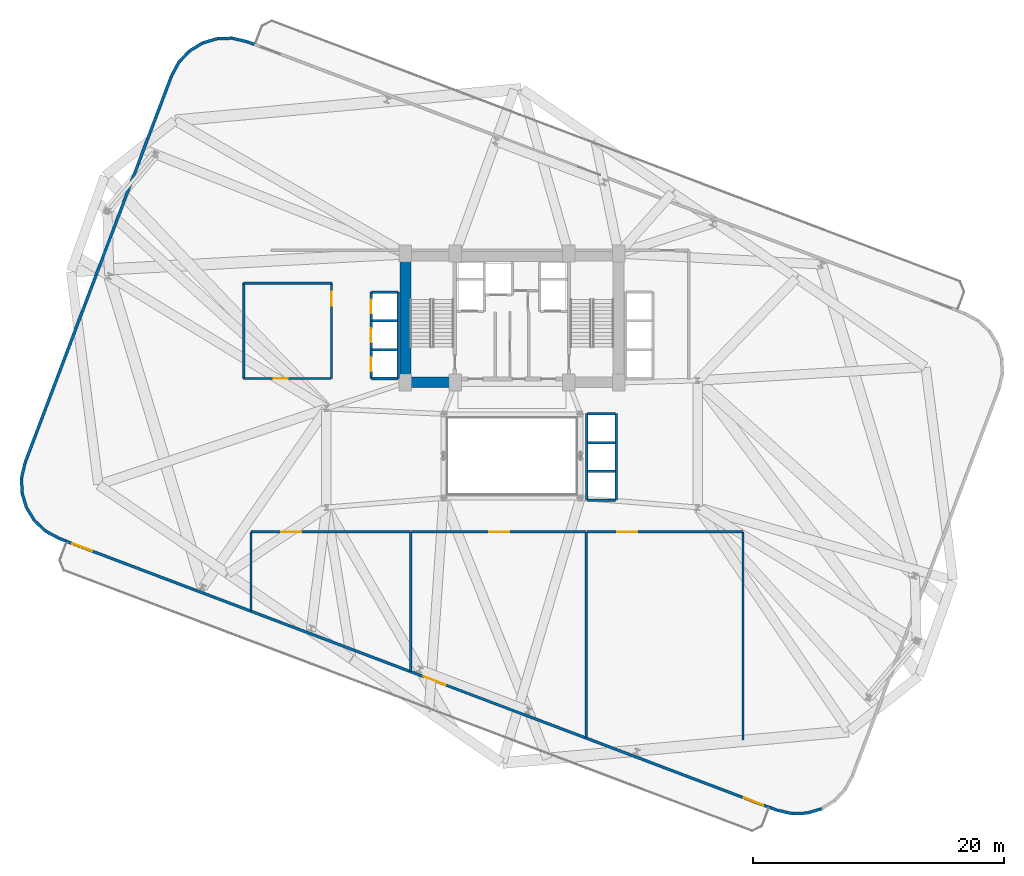
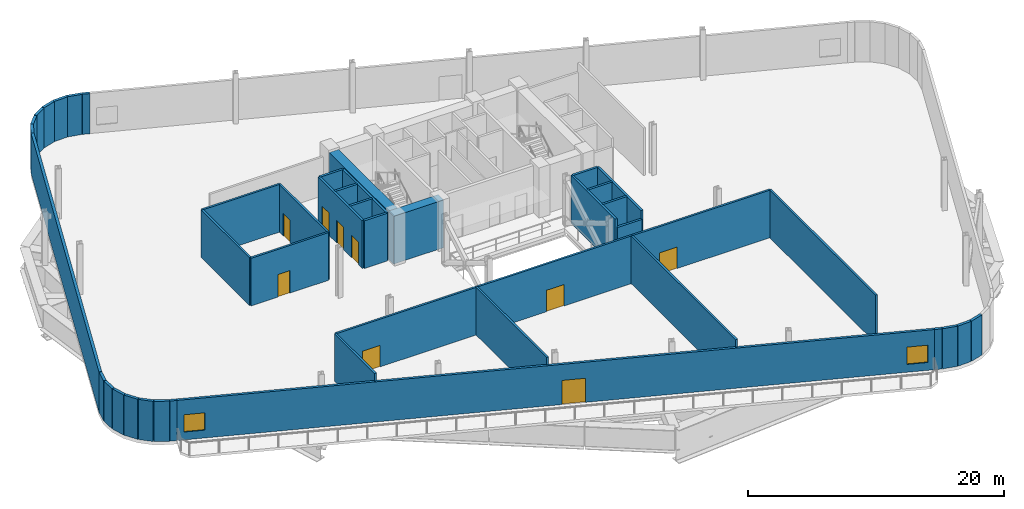
# One storey, part 6 of 11: 45 walls, 9 doors, 2 windows, 11 openings.
"""IFC4 building model written with IfcOpenShell, lengths in metres."""

from ifc_helpers import new_model, si_unit, direction, frame, frame_2d, origin, place, context, subcontext, project, spatial, rectangle, extrude, material, layer, layer_set, type_object, element, fill, save


model = new_model("IFC4")

# Units and contexts
model_context = context("Model", 3, precision=1e-05, world=origin(), true_north=direction((0.0, 1.0)))
body_context = subcontext(model_context, "Body", "Model", "MODEL_VIEW")
ifc_project = project(units=[si_unit("LENGTHUNIT", "METRE"), si_unit("AREAUNIT", "SQUARE_METRE"), si_unit("VOLUMEUNIT", "CUBIC_METRE"), si_unit("PLANEANGLEUNIT", "RADIAN"), si_unit("MASSUNIT", "GRAM", prefix="KILO")], contexts=[model_context])

# Site, building, storey
site_placement = place(None, origin())
site = spatial("IfcSite", under=ifc_project, at=site_placement, CompositionType="ELEMENT")
building_placement = place(site_placement, origin())
building = spatial("IfcBuilding", under=site, at=building_placement, Name="Varnelok Gate Tower", CompositionType="ELEMENT")
storey_placement = place(building_placement, frame((0.0, 0.0, 71.39990234375)))
storey = spatial("IfcBuildingStorey", under=building, at=storey_placement, Name="L17", CompositionType="ELEMENT", Elevation=71.39990234375)

# Wall, openings, door, windows
ifc_material_1 = material(Name="Concrete C45/55", Category="concrete")
ifc_layer_1 = layer(ifc_material_1, 0.219970703125)
ifc_layer_set_1 = layer_set([ifc_layer_1], Name="Concrete C45/55")
wall_type_1 = type_object("IfcWallType", Name="EW-BALC-220", PredefinedType="SOLIDWALL", material=ifc_layer_set_1)
wall_1_placement = place(storey_placement, frame((59.754150390625, -5.13916015625, 0.0), z_axis=(0.0, 0.0, 1.0), x_axis=(-0.935222250741, 0.354061211825, 0.0)))
wall_1 = element("IfcWall", 1, at=wall_1_placement, inside=storey, type_object=wall_type_1, Name="L17 South Terrace Envelope Wall 1", PredefinedType="SOLIDWALL", context=body_context, shape_type="SweptSolid", body=[
    extrude(rectangle(XDim=60.0, YDim=0.219970703125, at=frame_2d((30.0, 0.0))), origin(), (0.0, 0.0, 1.0), 3.830078125),
])
opening_1_placement = place(wall_1_placement, frame((27.646728515625, 0.0, 0.0)))
opening_1 = element("IfcOpeningElement", 2, at=opening_1_placement, cuts=wall_1, Name="Opening SGD-1", PredefinedType="OPENING", context=body_context, shape_type="SweptSolid", body=[
    extrude(rectangle(XDim=1.85009765625, YDim=2.300048828125, at=frame_2d((0.925048828125, 1.14990234375))), frame((0.0, 0.119873046875, 0.0), z_axis=(0.0, -1.0, 0.0), x_axis=(1.0, 0.0, 0.0)), (0.0, 0.0, 1.0), 0.239990234375),
])
opening_2_placement = place(wall_1_placement, frame((0.550048828125, 0.0, 0.75)))
opening_2 = element("IfcOpeningElement", 3, at=opening_2_placement, cuts=wall_1, Name="Opening WN3", PredefinedType="OPENING", context=body_context, shape_type="SweptSolid", body=[
    extrude(rectangle(XDim=1.64990234375, YDim=1.64990234375, at=frame_2d((0.824951171875, 0.824951171875))), frame((0.0, 0.119873046875, 0.0), z_axis=(0.0, -1.0, 0.0), x_axis=(1.0, 0.0, 0.0)), (0.0, 0.0, 1.0), 0.239990234375),
])
opening_3_placement = place(wall_1_placement, frame((57.800048828125, 0.0, 0.75)))
opening_3 = element("IfcOpeningElement", 4, at=opening_3_placement, cuts=wall_1, Name="Opening WN3", PredefinedType="OPENING", context=body_context, shape_type="SweptSolid", body=[
    extrude(rectangle(XDim=1.64990234375, YDim=1.64990234375, at=frame_2d((0.824951171875, 0.824951171875))), frame((0.0, 0.119873046875, 0.0), z_axis=(0.0, -1.0, 0.0), x_axis=(1.0, 0.0, 0.0)), (0.0, 0.0, 1.0), 0.239990234375),
])
ifc_material_2 = material(Name="Anodized Aluminum Alloy 6063-T6", Category="aluminium")
door_type_1 = type_object("IfcDoorType", Name="DR-EXT-SKYG1850", OperationType="DOUBLE_DOOR_SINGLE_SWING", PredefinedType="DOOR", material=ifc_material_2)
door_1_placement = place(opening_1_placement, origin())
door_1 = element("IfcDoor", 5, at=door_1_placement, inside=storey, type_object=door_type_1, Name="L17 South Sky Garden Glazed Door 1", OperationType="DOUBLE_DOOR_SINGLE_SWING", OverallHeight=2.300048828125, OverallWidth=1.85009765625, PredefinedType="DOOR", context=body_context, shape_type="SweptSolid", body=[
    extrude(rectangle(XDim=1.85009765625, YDim=2.300048828125, at=frame_2d((0.925048828125, 1.14990234375))), frame((0.0, 0.02490234375, 0.0), z_axis=(0.0, -1.0, 0.0), x_axis=(1.0, 0.0, 0.0)), (0.0, 0.0, 1.0), 0.050048828125),
])
fill(opening_1, door_1)
ifc_material_3 = material(Name="Low-E Laminated Double Glazing IGU", Category="glass")
window_type = type_object("IfcWindowType", Name="WN-HTL-1650", PartitioningType="SINGLE_PANEL", PredefinedType="WINDOW", material=ifc_material_3)
window_1_placement = place(opening_2_placement, origin())
window_1 = element("IfcWindow", 6, at=window_1_placement, inside=storey, type_object=window_type, Name="L17 South Vision Window 1.1", OverallHeight=1.64990234375, OverallWidth=1.64990234375, PartitioningType="SINGLE_PANEL", PredefinedType="WINDOW", context=body_context, shape_type="SweptSolid", body=[
    extrude(rectangle(XDim=1.64990234375, YDim=1.64990234375, at=frame_2d((0.824951171875, 0.824951171875))), frame((0.0, 0.030029296875, 0.0), z_axis=(0.0, -1.0, 0.0), x_axis=(1.0, 0.0, 0.0)), (0.0, 0.0, 1.0), 0.06005859375),
])
fill(opening_2, window_1)
window_2_placement = place(opening_3_placement, origin())
window_2 = element("IfcWindow", 7, at=window_2_placement, inside=storey, type_object=window_type, Name="L17 South Vision Window 1.2", OverallHeight=1.64990234375, OverallWidth=1.64990234375, PartitioningType="SINGLE_PANEL", PredefinedType="WINDOW", context=body_context, shape_type="SweptSolid", body=[
    extrude(rectangle(XDim=1.64990234375, YDim=1.64990234375, at=frame_2d((0.824951171875, 0.824951171875))), frame((0.0, 0.030029296875, 0.0), z_axis=(0.0, -1.0, 0.0), x_axis=(1.0, 0.0, 0.0)), (0.0, 0.0, 1.0), 0.06005859375),
])
fill(opening_3, window_2)

# Walls
ifc_layer_2 = layer(ifc_material_1, 0.239990234375)
ifc_layer_set_2 = layer_set([ifc_layer_2], Name="Concrete C45/55")
wall_type_2 = type_object("IfcWallType", Name="EW-PLANT-240", PredefinedType="SOLIDWALL", material=ifc_layer_set_2)
wall_2_placement = place(storey_placement, frame((0.3662109375, 22.36767578125, 0.0), z_axis=(0.0, 0.0, 1.0), x_axis=(-0.228961854546, -0.973435395475, 0.0)))
element("IfcWall", 8, at=wall_2_placement, inside=storey, type_object=wall_type_2, Name="L17 Perimeter Facade Closure Wall 1", PredefinedType="SOLIDWALL", context=body_context, shape_type="SweptSolid", body=[
    extrude(rectangle(XDim=1.2294921875, YDim=0.239990234375, at=frame_2d((0.61474609375, 0.0))), origin(), (0.0, 0.0, 1.0), 3.830078125),
])
for number, where, z_axis, x_axis, name in (
    (9, (0.08544921875, 21.145751953125, 0.0), (0.0, 0.0, 1.0), (0.030814269962, -0.999525127631, 0.0), "L17 Perimeter Facade Closure Wall 2"),
    (10, (0.12939453125, 19.92578125, 0.0), (0.0, 0.0, 1.0), (0.28854583193, -0.957466084452, 0.0), "L17 Perimeter Facade Closure Wall 3"),
    (11, (0.48779296875, 18.759033203125, 0.0), (0.0, 0.0, 1.0), (0.526361640828, -0.850260797088, 0.0), "L17 Perimeter Facade Closure Wall 4"),
):
    element("IfcWall", number, at=place(storey_placement, frame(where, z_axis=z_axis, x_axis=x_axis)), inside=storey, type_object=wall_type_2, Name=name, PredefinedType="SOLIDWALL", context=body_context, shape_type="SweptSolid", body=[
        extrude(rectangle(XDim=1.1962890625, YDim=0.239990234375, at=frame_2d((0.59814453125, 0.0))), origin(), (0.0, 0.0, 1.0), 3.830078125),
    ])
wall_3_placement = place(storey_placement, frame((1.1357421875, 17.724853515625, 0.0), z_axis=(0.0, 0.0, 1.0), x_axis=(0.728499379046, -0.68504646173, 0.0)))
element("IfcWall", 12, at=wall_3_placement, inside=storey, type_object=wall_type_2, Name="L17 Perimeter Facade Closure Wall 5", PredefinedType="SOLIDWALL", context=body_context, shape_type="SweptSolid", body=[
    extrude(rectangle(XDim=1.19677734375, YDim=0.239990234375, at=frame_2d((0.598388671875, 0.0))), origin(), (0.0, 0.0, 1.0), 3.830078125),
])
wall_4_placement = place(storey_placement, frame((2.029541015625, 16.893310546875, 0.0), z_axis=(0.0, 0.0, 1.0), x_axis=(0.880991299825, -0.473132465207, 0.0)))
element("IfcWall", 13, at=wall_4_placement, inside=storey, type_object=wall_type_2, Name="L17 Perimeter Facade Closure Wall 6", PredefinedType="SOLIDWALL", context=body_context, shape_type="SweptSolid", body=[
    extrude(rectangle(XDim=1.204345703125, YDim=0.239990234375, at=frame_2d((0.60205078125, 0.0))), origin(), (0.0, 0.0, 1.0), 3.830078125),
])
wall_5_placement = place(storey_placement, frame((3.114013671875, 16.314697265625, 0.0), z_axis=(0.0, 0.0, 1.0), x_axis=(0.935263143386, -0.353953178574, 0.0)))
element("IfcWall", 14, at=wall_5_placement, inside=storey, type_object=wall_type_2, Name="L17 Perimeter Facade Closure Wall 7", PredefinedType="SOLIDWALL", context=body_context, shape_type="SweptSolid", body=[
    extrude(rectangle(XDim=0.56689453125, YDim=0.239990234375, at=frame_2d((0.283447265625, 0.0))), origin(), (0.0, 0.0, 1.0), 3.830078125),
])
wall_6_placement = place(storey_placement, frame((59.757568359375, -5.1298828125, 0.0), z_axis=(0.0, 0.0, 1.0), x_axis=(0.935171861899, -0.354194281028, 0.0)))
element("IfcWall", 15, at=wall_6_placement, inside=storey, type_object=wall_type_2, Name="L17 Perimeter Facade Closure Wall 8", PredefinedType="SOLIDWALL", context=body_context, shape_type="SweptSolid", body=[
    extrude(rectangle(XDim=0.592041015625, YDim=0.239990234375, at=frame_2d((0.2958984375, 0.0))), origin(), (0.0, 0.0, 1.0), 3.830078125),
])
wall_7_placement = place(storey_placement, frame((60.335693359375, -5.34521484375, 0.0), z_axis=(0.0, 0.0, 1.0), x_axis=(0.973411851096, -0.229061930808, 0.0)))
element("IfcWall", 16, at=wall_7_placement, inside=storey, type_object=wall_type_2, Name="L17 Perimeter Facade Closure Wall 9", PredefinedType="SOLIDWALL", context=body_context, shape_type="SweptSolid", body=[
    extrude(rectangle(XDim=1.204345703125, YDim=0.239990234375, at=frame_2d((0.60205078125, 0.0))), origin(), (0.0, 0.0, 1.0), 3.830078125),
])
wall_8_placement = place(storey_placement, frame((61.533203125, -5.6201171875, 0.0), z_axis=(0.0, 0.0, 1.0), x_axis=(0.999525127631, 0.030814269962, 0.0)))
element("IfcWall", 17, at=wall_8_placement, inside=storey, type_object=wall_type_2, Name="L17 Perimeter Facade Closure Wall 10", PredefinedType="SOLIDWALL", context=body_context, shape_type="SweptSolid", body=[
    extrude(rectangle(XDim=1.1962890625, YDim=0.239990234375, at=frame_2d((0.59814453125, 0.0))), origin(), (0.0, 0.0, 1.0), 3.830078125),
])
wall_9_placement = place(storey_placement, frame((62.7529296875, -5.576171875, 0.0), z_axis=(0.0, 0.0, 1.0), x_axis=(0.95753941077, 0.288302405161, 0.0)))
element("IfcWall", 18, at=wall_9_placement, inside=storey, type_object=wall_type_2, Name="L17 Perimeter Facade Closure Wall 11", PredefinedType="SOLIDWALL", context=body_context, shape_type="SweptSolid", body=[
    extrude(rectangle(XDim=1.196533203125, YDim=0.239990234375, at=frame_2d((0.59814453125, 0.0))), origin(), (0.0, 0.0, 1.0), 3.830078125),
])
wall_10_placement = place(storey_placement, frame((18.642333984375, 55.729736328125, 0.0), z_axis=(0.0, 0.0, 1.0), x_axis=(-0.935171861899, 0.354194281028, 0.0)))
element("IfcWall", 19, at=wall_10_placement, inside=storey, type_object=wall_type_2, Name="L17 Perimeter Facade Closure Wall 23", PredefinedType="SOLIDWALL", context=body_context, shape_type="SweptSolid", body=[
    extrude(rectangle(XDim=0.592041015625, YDim=0.239990234375, at=frame_2d((0.2958984375, 0.0))), origin(), (0.0, 0.0, 1.0), 3.830078125),
])
wall_11_placement = place(storey_placement, frame((18.064208984375, 55.9453125, 0.0), z_axis=(0.0, 0.0, 1.0), x_axis=(-0.973457032742, 0.228869843808, 0.0)))
element("IfcWall", 20, at=wall_11_placement, inside=storey, type_object=wall_type_2, Name="L17 Perimeter Facade Closure Wall 24", PredefinedType="SOLIDWALL", context=body_context, shape_type="SweptSolid", body=[
    extrude(rectangle(XDim=1.204345703125, YDim=0.239990234375, at=frame_2d((0.60205078125, 0.0))), origin(), (0.0, 0.0, 1.0), 3.830078125),
])
wall_12_placement = place(storey_placement, frame((16.866943359375, 56.22021484375, 0.0), z_axis=(0.0, 0.0, 1.0), x_axis=(-0.999525321339, -0.030807986022, 0.0)))
element("IfcWall", 21, at=wall_12_placement, inside=storey, type_object=wall_type_2, Name="L17 Perimeter Facade Closure Wall 25", PredefinedType="SOLIDWALL", context=body_context, shape_type="SweptSolid", body=[
    extrude(rectangle(XDim=1.196533203125, YDim=0.239990234375, at=frame_2d((0.59814453125, 0.0))), origin(), (0.0, 0.0, 1.0), 3.830078125),
])
wall_13_placement = place(storey_placement, frame((15.64697265625, 56.176025390625, 0.0), z_axis=(0.0, 0.0, 1.0), x_axis=(-0.957522446706, -0.288358741943, 0.0)))
element("IfcWall", 22, at=wall_13_placement, inside=storey, type_object=wall_type_2, Name="L17 Perimeter Facade Closure Wall 26", PredefinedType="SOLIDWALL", context=body_context, shape_type="SweptSolid", body=[
    extrude(rectangle(XDim=1.1962890625, YDim=0.239990234375, at=frame_2d((0.59814453125, 0.0))), origin(), (0.0, 0.0, 1.0), 3.830078125),
])
for number, where, z_axis, x_axis, name in (
    (23, (14.480224609375, 55.81787109375, 0.0), (0.0, 0.0, 1.0), (-0.850226009196, -0.526417831468, 0.0), "L17 Perimeter Facade Closure Wall 27"),
    (24, (13.44580078125, 55.169921875, 0.0), (0.0, 0.0, 1.0), (-0.684938171631, -0.728601194785, 0.0), "L17 Perimeter Facade Closure Wall 28"),
):
    element("IfcWall", number, at=place(storey_placement, frame(where, z_axis=z_axis, x_axis=x_axis)), inside=storey, type_object=wall_type_2, Name=name, PredefinedType="SOLIDWALL", context=body_context, shape_type="SweptSolid", body=[
        extrude(rectangle(XDim=1.196533203125, YDim=0.239990234375, at=frame_2d((0.59814453125, 0.0))), origin(), (0.0, 0.0, 1.0), 3.830078125),
    ])
wall_14_placement = place(storey_placement, frame((12.614501953125, 54.276123046875, 0.0), z_axis=(0.0, 0.0, 1.0), x_axis=(-0.473132465207, -0.880991299825, 0.0)))
element("IfcWall", 25, at=wall_14_placement, inside=storey, type_object=wall_type_2, Name="L17 Perimeter Facade Closure Wall 29", PredefinedType="SOLIDWALL", context=body_context, shape_type="SweptSolid", body=[
    extrude(rectangle(XDim=1.204345703125, YDim=0.239990234375, at=frame_2d((0.60205078125, 0.0))), origin(), (0.0, 0.0, 1.0), 3.830078125),
])
wall_15_placement = place(storey_placement, frame((12.035888671875, 53.19189453125, 0.0), z_axis=(0.0, 0.0, 1.0), x_axis=(-0.354065772744, -0.935220524032, 0.0)))
element("IfcWall", 26, at=wall_15_placement, inside=storey, type_object=wall_type_2, Name="L17 Perimeter Facade Closure Wall 30", PredefinedType="SOLIDWALL", context=body_context, shape_type="SweptSolid", body=[
    extrude(rectangle(XDim=32.934326171875, YDim=0.239990234375, at=frame_2d((16.46728515625, 0.0))), origin(), (0.0, 0.0, 1.0), 3.830078125),
])

# Wall, opening, door
ifc_material_4 = material(Name="Gypsum Plasterboard Acoustic Partition", Category="gypsum")
ifc_layer_3 = layer(ifc_material_4, 0.179931640625)
ifc_layer_set_3 = layer_set([ifc_layer_3], Name="Gypsum Plasterboard Acoustic Partition")
wall_type_3 = type_object("IfcWallType", Name="PW-CORR-180", PredefinedType="PARTITIONING", material=ifc_layer_set_3)
wall_16_placement = place(storey_placement, frame((17.800048828125, 29.080078125, 0.0), z_axis=(0.0, 0.0, 1.0), x_axis=(1.0, 0.0, 0.0)))
wall_16 = element("IfcWall", 27, at=wall_16_placement, inside=storey, type_object=wall_type_3, Name="Interior Partition", PredefinedType="PARTITIONING", context=body_context, shape_type="SweptSolid", body=[
    extrude(rectangle(XDim=6.949951171875, YDim=0.179931640625, at=frame_2d((3.47509765625, 0.0))), origin(), (0.0, 0.0, 1.0), 4.550048828125),
])
opening_4_placement = place(wall_16_placement, frame((2.39990234375, 0.0, 0.0)))
opening_4 = element("IfcOpeningElement", 28, at=opening_4_placement, cuts=wall_16, Name="Opening D-FF", PredefinedType="OPENING", context=body_context, shape_type="SweptSolid", body=[
    extrude(rectangle(XDim=1.10009765625, YDim=2.14990234375, at=frame_2d((0.550048828125, 1.074951171875))), frame((0.0, 0.099853515625, 0.0), z_axis=(0.0, -1.0, 0.0), x_axis=(1.0, 0.0, 0.0)), (0.0, 0.0, 1.0), 0.199951171875),
])
ifc_material_5 = material(Name="Galvanized Steel Grade S350GD", Category="steel")
door_type_2 = type_object("IfcDoorType", Name="DR-FFLOB-1100", OperationType="NOTDEFINED", PredefinedType="DOOR", material=ifc_material_5)
door_2_placement = place(opening_4_placement, origin())
door_2 = element("IfcDoor", 29, at=door_2_placement, inside=storey, type_object=door_type_2, Name="L17 Area of Refuge Lobby Fire Door", OperationType="SINGLE_SWING_LEFT", OverallHeight=2.14990234375, OverallWidth=1.10009765625, PredefinedType="DOOR", context=body_context, shape_type="SweptSolid", body=[
    extrude(rectangle(XDim=1.10009765625, YDim=2.14990234375, at=frame_2d((0.550048828125, 1.074951171875))), frame((0.0, 0.02490234375, 0.0), z_axis=(0.0, -1.0, 0.0), x_axis=(1.0, 0.0, 0.0)), (0.0, 0.0, 1.0), 0.050048828125),
])
fill(opening_4, door_2)

# Walls
wall_17_placement = place(storey_placement, frame((17.800048828125, 29.080078125, 0.0), z_axis=(0.0, 0.0, 1.0), x_axis=(0.0, 1.0, 0.0)))
element("IfcWall", 30, at=wall_17_placement, inside=storey, type_object=wall_type_3, Name="Interior Partition", PredefinedType="PARTITIONING", context=body_context, shape_type="SweptSolid", body=[
    extrude(rectangle(XDim=7.599853515625, YDim=0.179931640625, at=frame_2d((3.7998046875, 0.0))), origin(), (0.0, 0.0, 1.0), 4.550048828125),
])
wall_18_placement = place(storey_placement, frame((17.800048828125, 36.679931640625, 0.0), z_axis=(0.0, 0.0, 1.0), x_axis=(1.0, 0.0, 0.0)))
element("IfcWall", 31, at=wall_18_placement, inside=storey, type_object=wall_type_3, Name="Interior Partition", PredefinedType="PARTITIONING", context=body_context, shape_type="SweptSolid", body=[
    extrude(rectangle(XDim=7.030029296875, YDim=0.179931640625, at=frame_2d((3.51513671875, 0.0))), origin(), (0.0, 0.0, 1.0), 4.550048828125),
])

# Wall, opening, door
wall_19_placement = place(storey_placement, frame((24.81005859375, 29.080078125, 0.0), z_axis=(0.0, 0.0, 1.0), x_axis=(0.0, 1.0, 0.0)))
wall_19 = element("IfcWall", 32, at=wall_19_placement, inside=storey, type_object=wall_type_3, Name="Interior Partition", PredefinedType="PARTITIONING", context=body_context, shape_type="SweptSolid", body=[
    extrude(rectangle(XDim=7.599853515625, YDim=0.179931640625, at=frame_2d((3.7998046875, 0.0))), origin(), (0.0, 0.0, 1.0), 4.550048828125),
])
opening_5_placement = place(wall_19_placement, frame((5.800048828125, 0.0, 0.0)))
opening_5 = element("IfcOpeningElement", 33, at=opening_5_placement, cuts=wall_19, Name="Opening D-FF", PredefinedType="OPENING", context=body_context, shape_type="SweptSolid", body=[
    extrude(rectangle(XDim=1.10009765625, YDim=2.14990234375, at=frame_2d((0.550048828125, 1.074951171875))), frame((0.0, 0.099853515625, 0.0), z_axis=(0.0, -1.0, 0.0), x_axis=(1.0, 0.0, 0.0)), (0.0, 0.0, 1.0), 0.199951171875),
])
door_3_placement = place(opening_5_placement, origin())
door_3 = element("IfcDoor", 34, at=door_3_placement, inside=storey, type_object=door_type_2, Name="L17 Area of Refuge Lift Lobby Fire Door", OperationType="SINGLE_SWING_RIGHT", OverallHeight=2.14990234375, OverallWidth=1.10009765625, PredefinedType="DOOR", context=body_context, shape_type="SweptSolid", body=[
    extrude(rectangle(XDim=1.10009765625, YDim=2.14990234375, at=frame_2d((0.550048828125, 1.074951171875))), frame((0.0, 0.02490234375, 0.0), z_axis=(0.0, -1.0, 0.0), x_axis=(1.0, 0.0, 0.0)), (0.0, 0.0, 1.0), 0.050048828125),
])
fill(opening_5, door_3)

wall_20_placement = place(storey_placement, frame((18.3798828125, 16.85009765625, 0.0), z_axis=(0.0, 0.0, 1.0), x_axis=(1.0, 0.0, 0.0)))
wall_20 = element("IfcWall", 35, at=wall_20_placement, inside=storey, type_object=wall_type_3, Name="Interior Partition", PredefinedType="PARTITIONING", context=body_context, shape_type="SweptSolid", body=[
    extrude(rectangle(XDim=12.740234375, YDim=0.179931640625, at=frame_2d((6.3701171875, 0.0))), origin(), (0.0, 0.0, 1.0), 4.550048828125),
])
opening_6_placement = place(wall_20_placement, frame((2.39990234375, 0.0, 0.0)))
opening_6 = element("IfcOpeningElement", 36, at=opening_6_placement, cuts=wall_20, Name="Opening D-PL", PredefinedType="OPENING", context=body_context, shape_type="SweptSolid", body=[
    extrude(rectangle(XDim=1.60009765625, YDim=2.050048828125, at=frame_2d((0.800048828125, 1.02490234375))), frame((0.0, 0.099853515625, 0.0), z_axis=(0.0, -1.0, 0.0), x_axis=(1.0, 0.0, 0.0)), (0.0, 0.0, 1.0), 0.199951171875),
])
door_type_3 = type_object("IfcDoorType", Name="DR-PLANT-1600", OperationType="DOUBLE_DOOR_SINGLE_SWING", PredefinedType="DOOR", material=ifc_material_5)
door_4_placement = place(opening_6_placement, origin())
door_4 = element("IfcDoor", 37, at=door_4_placement, inside=storey, type_object=door_type_3, Name="L17 Mechanical Plant Bay 1 Double Door", OperationType="DOUBLE_DOOR_SINGLE_SWING", OverallHeight=2.050048828125, OverallWidth=1.60009765625, PredefinedType="DOOR", context=body_context, shape_type="SweptSolid", body=[
    extrude(rectangle(XDim=1.60009765625, YDim=2.050048828125, at=frame_2d((0.800048828125, 1.02490234375))), frame((0.0, 0.02490234375, 0.0), z_axis=(0.0, -1.0, 0.0), x_axis=(1.0, 0.0, 0.0)), (0.0, 0.0, 1.0), 0.050048828125),
])
fill(opening_6, door_4)

# Walls
wall_21_placement = place(storey_placement, frame((31.1201171875, 5.7333984375, 0.0), z_axis=(0.0, 0.0, 1.0), x_axis=(0.0, 1.0, 0.0)))
element("IfcWall", 38, at=wall_21_placement, inside=storey, type_object=wall_type_3, Name="Interior Partition", PredefinedType="PARTITIONING", context=body_context, shape_type="SweptSolid", body=[
    extrude(rectangle(XDim=11.11669921875, YDim=0.179931640625, at=frame_2d((5.558349609375, 0.0))), origin(), (0.0, 0.0, 1.0), 4.550048828125),
])
wall_22_placement = place(storey_placement, frame((18.3798828125, 10.556640625, 0.0), z_axis=(0.0, 0.0, 1.0), x_axis=(0.0, 1.0, 0.0)))
element("IfcWall", 39, at=wall_22_placement, inside=storey, type_object=wall_type_3, Name="Interior Partition", PredefinedType="PARTITIONING", context=body_context, shape_type="SweptSolid", body=[
    extrude(rectangle(XDim=6.29345703125, YDim=0.179931640625, at=frame_2d((3.146728515625, 0.0))), origin(), (0.0, 0.0, 1.0), 4.550048828125),
])

# Wall, opening, door
wall_23_placement = place(storey_placement, frame((31.179931640625, 16.85009765625, 0.0), z_axis=(0.0, 0.0, 1.0), x_axis=(1.0, 0.0, 0.0)))
wall_23 = element("IfcWall", 40, at=wall_23_placement, inside=storey, type_object=wall_type_3, Name="Interior Partition", PredefinedType="PARTITIONING", context=body_context, shape_type="SweptSolid", body=[
    extrude(rectangle(XDim=13.940185546875, YDim=0.179931640625, at=frame_2d((6.97021484375, 0.0))), origin(), (0.0, 0.0, 1.0), 4.550048828125),
])
opening_7_placement = place(wall_23_placement, frame((6.199951171875, 0.0, 0.0)))
opening_7 = element("IfcOpeningElement", 41, at=opening_7_placement, cuts=wall_23, Name="Opening D-PL", PredefinedType="OPENING", context=body_context, shape_type="SweptSolid", body=[
    extrude(rectangle(XDim=1.60009765625, YDim=2.050048828125, at=frame_2d((0.800048828125, 1.02490234375))), frame((0.0, 0.099853515625, 0.0), z_axis=(0.0, -1.0, 0.0), x_axis=(1.0, 0.0, 0.0)), (0.0, 0.0, 1.0), 0.199951171875),
])
door_5_placement = place(opening_7_placement, origin())
door_5 = element("IfcDoor", 42, at=door_5_placement, inside=storey, type_object=door_type_3, Name="L17 Mechanical Plant Bay 2 Double Door", OperationType="DOUBLE_DOOR_SINGLE_SWING", OverallHeight=2.050048828125, OverallWidth=1.60009765625, PredefinedType="DOOR", context=body_context, shape_type="SweptSolid", body=[
    extrude(rectangle(XDim=1.60009765625, YDim=2.050048828125, at=frame_2d((0.800048828125, 1.02490234375))), frame((0.0, 0.02490234375, 0.0), z_axis=(0.0, -1.0, 0.0), x_axis=(1.0, 0.0, 0.0)), (0.0, 0.0, 1.0), 0.050048828125),
])
fill(opening_7, door_5)

# Wall
wall_24_placement = place(storey_placement, frame((45.1201171875, 0.43310546875, 0.0), z_axis=(0.0, 0.0, 1.0), x_axis=(0.0, 1.0, 0.0)))
element("IfcWall", 43, at=wall_24_placement, inside=storey, type_object=wall_type_3, Name="Interior Partition", PredefinedType="PARTITIONING", context=body_context, shape_type="SweptSolid", body=[
    extrude(rectangle(XDim=16.4169921875, YDim=0.179931640625, at=frame_2d((8.20849609375, 0.0))), origin(), (0.0, 0.0, 1.0), 4.550048828125),
])

# Wall, opening, door
wall_25_placement = place(storey_placement, frame((45.179931640625, 16.85009765625, 0.0), z_axis=(0.0, 0.0, 1.0), x_axis=(1.0, 0.0, 0.0)))
wall_25 = element("IfcWall", 44, at=wall_25_placement, inside=storey, type_object=wall_type_3, Name="Interior Partition", PredefinedType="PARTITIONING", context=body_context, shape_type="SweptSolid", body=[
    extrude(rectangle(XDim=12.440185546875, YDim=0.179931640625, at=frame_2d((6.22021484375, 0.0))), origin(), (0.0, 0.0, 1.0), 4.550048828125),
])
opening_8_placement = place(wall_25_placement, frame((2.39990234375, 0.0, 0.0)))
opening_8 = element("IfcOpeningElement", 45, at=opening_8_placement, cuts=wall_25, Name="Opening D-PL", PredefinedType="OPENING", context=body_context, shape_type="SweptSolid", body=[
    extrude(rectangle(XDim=1.60009765625, YDim=2.050048828125, at=frame_2d((0.800048828125, 1.02490234375))), frame((0.0, 0.099853515625, 0.0), z_axis=(0.0, -1.0, 0.0), x_axis=(1.0, 0.0, 0.0)), (0.0, 0.0, 1.0), 0.199951171875),
])
door_6_placement = place(opening_8_placement, origin())
door_6 = element("IfcDoor", 46, at=door_6_placement, inside=storey, type_object=door_type_3, Name="L17 Mechanical Plant Bay 3 Double Door", OperationType="DOUBLE_DOOR_SINGLE_SWING", OverallHeight=2.050048828125, OverallWidth=1.60009765625, PredefinedType="DOOR", context=body_context, shape_type="SweptSolid", body=[
    extrude(rectangle(XDim=1.60009765625, YDim=2.050048828125, at=frame_2d((0.800048828125, 1.02490234375))), frame((0.0, 0.02490234375, 0.0), z_axis=(0.0, -1.0, 0.0), x_axis=(1.0, 0.0, 0.0)), (0.0, 0.0, 1.0), 0.050048828125),
])
fill(opening_8, door_6)

# Walls
wall_26_placement = place(storey_placement, frame((57.6201171875, 0.25, 0.0), z_axis=(0.0, 0.0, 1.0), x_axis=(0.0, 1.0, 0.0)))
element("IfcWall", 47, at=wall_26_placement, inside=storey, type_object=wall_type_3, Name="Interior Partition", PredefinedType="PARTITIONING", context=body_context, shape_type="SweptSolid", body=[
    extrude(rectangle(XDim=16.60009765625, YDim=0.179931640625, at=frame_2d((8.300048828125, 0.0))), origin(), (0.0, 0.0, 1.0), 4.550048828125),
])
ifc_material_6 = material(Name="Concrete C35/45", Category="concrete")
ifc_layer_4 = layer(ifc_material_6, 0.199951171875)
ifc_layer_set_4 = layer_set([ifc_layer_4], Name="Concrete C35/45")
wall_type_4 = type_object("IfcWallType", Name="PW-SHAFT-200", PredefinedType="PARTITIONING", material=ifc_layer_set_4)
for number, where, z_axis, x_axis, name in (
    (48, (28.02001953125, 31.375, 0.0), (0.0, 0.0, 1.0), (1.0, 0.0, 0.0), "L17 PL1 Divider"),
    (49, (28.02001953125, 33.675048828125, 0.0), (0.0, 0.0, 1.0), (1.0, 0.0, 0.0), "L17 PL2 Divider"),
):
    element("IfcWall", number, at=place(storey_placement, frame(where, z_axis=z_axis, x_axis=x_axis)), inside=storey, type_object=wall_type_4, Name=name, PredefinedType="PARTITIONING", context=body_context, shape_type="SweptSolid", body=[
        extrude(rectangle(XDim=2.06005859375, YDim=0.199951171875, at=frame_2d((1.030029296875, 0.0))), origin(), (0.0, 0.0, 1.0), 4.550048828125),
    ])
for number, where, z_axis, x_axis, name in (
    (50, (28.0, 29.080078125, 0.0), (0.0, 0.0, 1.0), (1.0, 0.0, 0.0), "L17 PL Bank South Wall"),
    (51, (28.0, 35.969970703125, 0.0), (0.0, 0.0, 1.0), (1.0, 0.0, 0.0), "L17 PL Bank North Wall"),
):
    element("IfcWall", number, at=place(storey_placement, frame(where, z_axis=z_axis, x_axis=x_axis)), inside=storey, type_object=wall_type_4, Name=name, PredefinedType="PARTITIONING", context=body_context, shape_type="SweptSolid", body=[
        extrude(rectangle(XDim=2.10009765625, YDim=0.199951171875, at=frame_2d((1.050048828125, 0.0))), origin(), (0.0, 0.0, 1.0), 4.550048828125),
    ])
wall_27_placement = place(storey_placement, frame((30.1201171875, 29.080078125, 0.0), z_axis=(0.0, 0.0, 1.0), x_axis=(0.0, 1.0, 0.0)))
element("IfcWall", 52, at=wall_27_placement, inside=storey, type_object=wall_type_4, Name="L17 PL Bank Back Wall", PredefinedType="PARTITIONING", context=body_context, shape_type="SweptSolid", body=[
    extrude(rectangle(XDim=6.889892578125, YDim=0.199951171875, at=frame_2d((3.44482421875, 0.0))), origin(), (0.0, 0.0, 1.0), 4.550048828125),
])

# Wall, openings, doors
wall_28_placement = place(storey_placement, frame((27.9599609375, 29.080078125, 0.0), z_axis=(0.0, 0.0, 1.0), x_axis=(0.0, 1.0, 0.0)))
wall_28 = element("IfcWall", 53, at=wall_28_placement, inside=storey, type_object=wall_type_4, Name="L17 PL Bank Front Wall", PredefinedType="PARTITIONING", context=body_context, shape_type="SweptSolid", body=[
    extrude(rectangle(XDim=6.889892578125, YDim=0.199951171875, at=frame_2d((3.44482421875, 0.0))), origin(), (0.0, 0.0, 1.0), 4.550048828125),
])
opening_9_placement = place(wall_28_placement, frame((0.590087890625, 0.0, 0.0)))
opening_9 = element("IfcOpeningElement", 54, at=opening_9_placement, cuts=wall_28, Name="Opening LD-PL1", PredefinedType="OPENING", context=body_context, shape_type="SweptSolid", body=[
    extrude(rectangle(XDim=1.10009765625, YDim=2.14990234375, at=frame_2d((0.550048828125, 1.074951171875))), frame((0.0, 0.10986328125, 0.0), z_axis=(0.0, -1.0, 0.0), x_axis=(1.0, 0.0, 0.0)), (0.0, 0.0, 1.0), 0.219970703125),
])
opening_10_placement = place(wall_28_placement, frame((2.889892578125, 0.0, 0.0)))
opening_10 = element("IfcOpeningElement", 55, at=opening_10_placement, cuts=wall_28, Name="Opening LD-PL2", PredefinedType="OPENING", context=body_context, shape_type="SweptSolid", body=[
    extrude(rectangle(XDim=1.10009765625, YDim=2.14990234375, at=frame_2d((0.550048828125, 1.074951171875))), frame((0.0, 0.10986328125, 0.0), z_axis=(0.0, -1.0, 0.0), x_axis=(1.0, 0.0, 0.0)), (0.0, 0.0, 1.0), 0.219970703125),
])
opening_11_placement = place(wall_28_placement, frame((5.18994140625, 0.0, 0.0)))
opening_11 = element("IfcOpeningElement", 56, at=opening_11_placement, cuts=wall_28, Name="Opening LD-PL3", PredefinedType="OPENING", context=body_context, shape_type="SweptSolid", body=[
    extrude(rectangle(XDim=1.10009765625, YDim=2.14990234375, at=frame_2d((0.550048828125, 1.074951171875))), frame((0.0, 0.10986328125, 0.0), z_axis=(0.0, -1.0, 0.0), x_axis=(1.0, 0.0, 0.0)), (0.0, 0.0, 1.0), 0.219970703125),
])
door_type_4 = type_object("IfcDoorType", Name="DR-LIFT-PAX1100", OperationType="SLIDING_TO_LEFT", PredefinedType="DOOR", material=ifc_material_5)
door_7_placement = place(opening_9_placement, origin())
door_7 = element("IfcDoor", 57, at=door_7_placement, inside=storey, type_object=door_type_4, Name="L17 Passenger Lift Landing Door LD-PL1", OperationType="SLIDING_TO_LEFT", OverallHeight=2.14990234375, OverallWidth=1.10009765625, PredefinedType="DOOR", context=body_context, shape_type="SweptSolid", body=[
    extrude(rectangle(XDim=1.10009765625, YDim=2.14990234375, at=frame_2d((0.550048828125, 1.074951171875))), frame((0.0, 0.02490234375, 0.0), z_axis=(0.0, -1.0, 0.0), x_axis=(1.0, 0.0, 0.0)), (0.0, 0.0, 1.0), 0.050048828125),
])
fill(opening_9, door_7)
door_8_placement = place(opening_10_placement, origin())
door_8 = element("IfcDoor", 58, at=door_8_placement, inside=storey, type_object=door_type_4, Name="L17 Passenger Lift Landing Door LD-PL2", OperationType="SLIDING_TO_LEFT", OverallHeight=2.14990234375, OverallWidth=1.10009765625, PredefinedType="DOOR", context=body_context, shape_type="SweptSolid", body=[
    extrude(rectangle(XDim=1.10009765625, YDim=2.14990234375, at=frame_2d((0.550048828125, 1.074951171875))), frame((0.0, 0.02490234375, 0.0), z_axis=(0.0, -1.0, 0.0), x_axis=(1.0, 0.0, 0.0)), (0.0, 0.0, 1.0), 0.050048828125),
])
fill(opening_10, door_8)
door_9_placement = place(opening_11_placement, origin())
door_9 = element("IfcDoor", 59, at=door_9_placement, inside=storey, type_object=door_type_4, Name="L17 Passenger Lift Landing Door LD-PL3", OperationType="SLIDING_TO_LEFT", OverallHeight=2.14990234375, OverallWidth=1.10009765625, PredefinedType="DOOR", context=body_context, shape_type="SweptSolid", body=[
    extrude(rectangle(XDim=1.10009765625, YDim=2.14990234375, at=frame_2d((0.550048828125, 1.074951171875))), frame((0.0, 0.02490234375, 0.0), z_axis=(0.0, -1.0, 0.0), x_axis=(1.0, 0.0, 0.0)), (0.0, 0.0, 1.0), 0.050048828125),
])
fill(opening_11, door_9)

# Walls
for number, where, z_axis, x_axis, name in (
    (60, (45.239990234375, 21.675048828125, 0.0), (0.0, 0.0, 1.0), (1.0, 0.0, 0.0), "L17 PH1 Divider"),
    (61, (45.239990234375, 23.97509765625, 0.0), (0.0, 0.0, 1.0), (1.0, 0.0, 0.0), "L17 PH2 Divider"),
):
    element("IfcWall", number, at=place(storey_placement, frame(where, z_axis=z_axis, x_axis=x_axis)), inside=storey, type_object=wall_type_4, Name=name, PredefinedType="PARTITIONING", context=body_context, shape_type="SweptSolid", body=[
        extrude(rectangle(XDim=2.219970703125, YDim=0.199951171875, at=frame_2d((1.10986328125, 0.0))), origin(), (0.0, 0.0, 1.0), 4.550048828125),
    ])
wall_29_placement = place(storey_placement, frame((45.239990234375, 19.3798828125, 0.0), z_axis=(0.0, 0.0, 1.0), x_axis=(1.0, 0.0, 0.0)))
element("IfcWall", 62, at=wall_29_placement, inside=storey, type_object=wall_type_4, Name="L17 PH Bank South Wall", PredefinedType="PARTITIONING", context=body_context, shape_type="SweptSolid", body=[
    extrude(rectangle(XDim=2.219970703125, YDim=0.199951171875, at=frame_2d((1.10986328125, 0.0))), origin(), (0.0, 0.0, 1.0), 3.76220703125),
])
wall_30_placement = place(storey_placement, frame((45.239990234375, 26.280029296875, 0.0), z_axis=(0.0, 0.0, 1.0), x_axis=(1.0, 0.0, 0.0)))
element("IfcWall", 63, at=wall_30_placement, inside=storey, type_object=wall_type_4, Name="L17 PH Bank North Wall", PredefinedType="PARTITIONING", context=body_context, shape_type="SweptSolid", body=[
    extrude(rectangle(XDim=2.219970703125, YDim=0.199951171875, at=frame_2d((1.10986328125, 0.0))), origin(), (0.0, 0.0, 1.0), 4.550048828125),
])
for number, where, z_axis, x_axis, name in (
    (64, (45.179931640625, 19.3798828125, 0.0), (0.0, 0.0, 1.0), (0.0, 1.0, 0.0), "L17 PH Bank Atrium Wall"),
    (65, (47.52001953125, 19.3798828125, 0.0), (0.0, 0.0, 1.0), (0.0, 1.0, 0.0), "L17 PH Bank Front Wall"),
):
    element("IfcWall", number, at=place(storey_placement, frame(where, z_axis=z_axis, x_axis=x_axis)), inside=storey, type_object=wall_type_4, Name=name, PredefinedType="PARTITIONING", context=body_context, shape_type="SweptSolid", body=[
        extrude(rectangle(XDim=6.900146484375, YDim=0.199951171875, at=frame_2d((3.4501953125, 0.0))), origin(), (0.0, 0.0, 1.0), 4.550048828125),
    ])
ifc_material_7 = material(Name="Concrete C70/85", Category="concrete")
ifc_layer_5 = layer(ifc_material_7, 0.85009765625)
ifc_layer_set_5 = layer_set([ifc_layer_5], Name="Concrete C70/85")
wall_type_5 = type_object("IfcWallType", Name="SW-CORE-850", PredefinedType="SHEAR", material=ifc_layer_set_5)
wall_31_placement = place(storey_placement, frame((30.705078125, 29.199951171875, 0.0), z_axis=(0.0, 0.0, 1.0), x_axis=(0.0, 1.0, 0.0)))
element("IfcWall", 66, at=wall_31_placement, inside=storey, type_object=wall_type_5, Name="L17 Rear Core West Shear Wall", PredefinedType="SHEAR", context=body_context, shape_type="SweptSolid", body=[
    extrude(rectangle(XDim=9.219970703125, YDim=0.85009765625, at=frame_2d((4.60986328125, 0.0))), origin(), (0.0, 0.0, 1.0), 4.550048828125),
])
wall_32_placement = place(storey_placement, frame((30.280029296875, 28.77490234375, 0.0), z_axis=(0.0, 0.0, 1.0), x_axis=(1.0, 0.0, 0.0)))
element("IfcWall", 67, at=wall_32_placement, inside=storey, type_object=wall_type_5, Name="L17 Rear Core South-West Shear Wall", PredefinedType="SHEAR", context=body_context, shape_type="SweptSolid", body=[
    extrude(rectangle(XDim=4.52001953125, YDim=0.85009765625, at=frame_2d((2.260009765625, 0.0))), origin(), (0.0, 0.0, 1.0), 4.550048828125),
])

save(model, "model.ifc")
